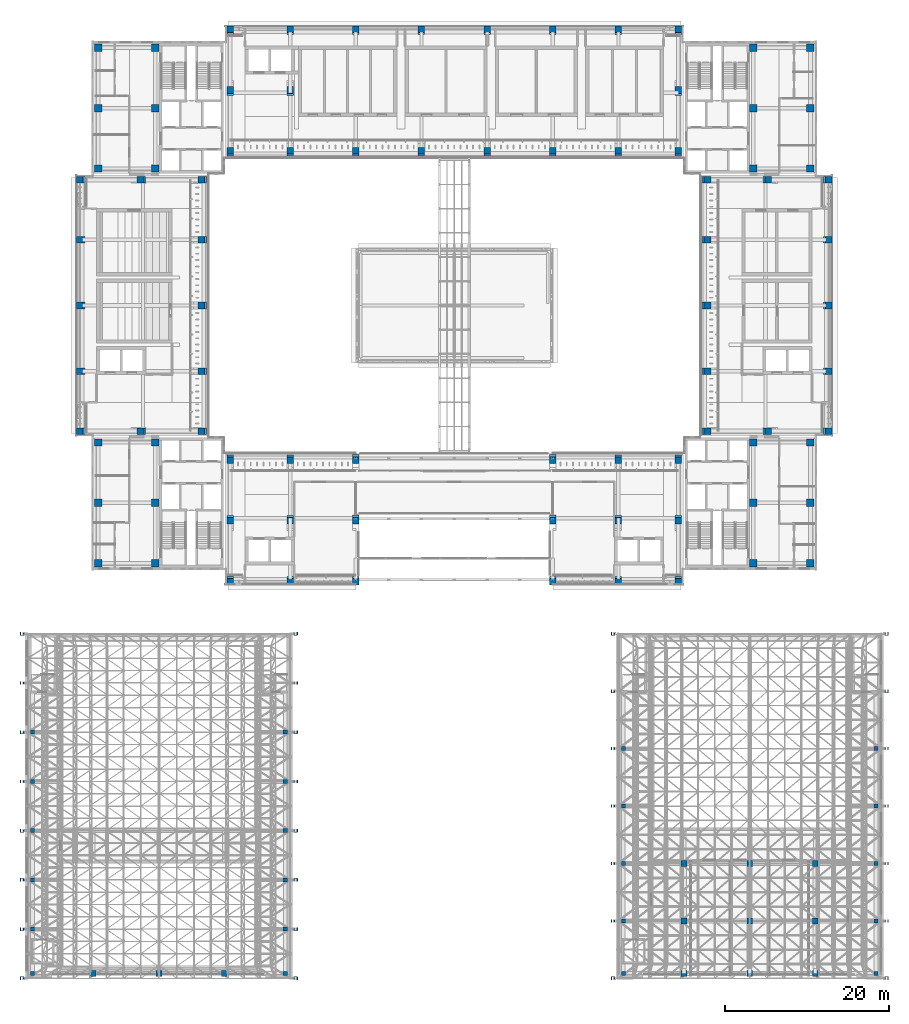
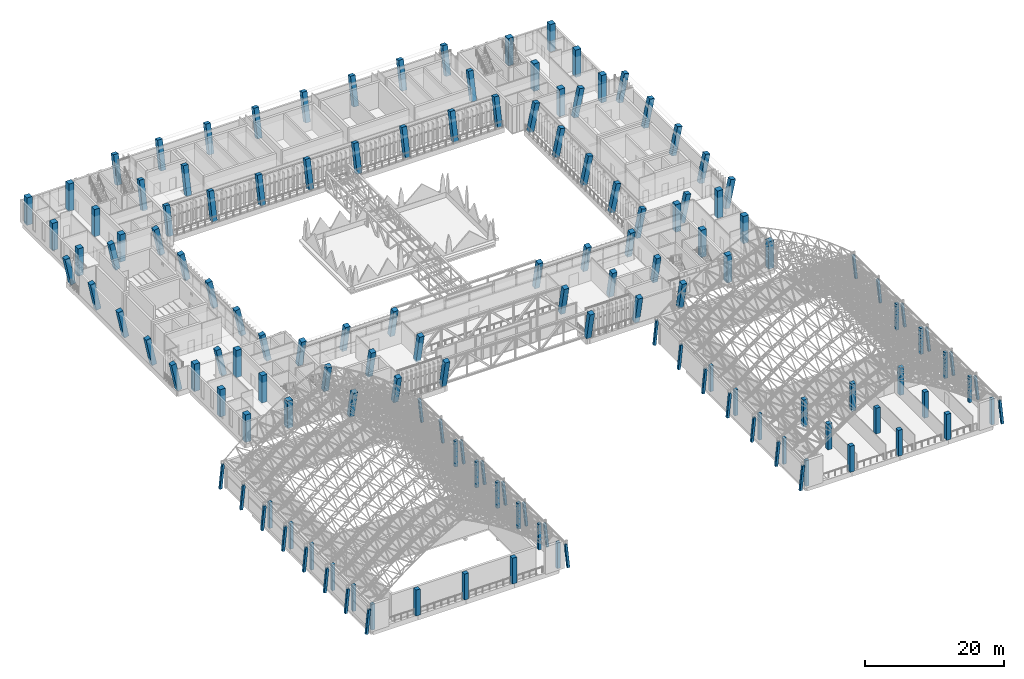
# One storey, part 1 of 141: 149 columns.
"""IFC4 building model written with IfcOpenShell, lengths in metres."""

from ifc_helpers import new_model, si_unit, direction, frame, origin, origin_2d, place, context, subcontext, project, spatial, rectangle, hollow_rectangle, extrude, material, material_profile, profile_set, type_object, element, save


model = new_model("IFC4")

# Units and contexts
model_context = context("Model", 3, precision=1e-05, world=origin(), true_north=direction((0.0, 1.0)))
body_context = subcontext(model_context, "Body", "Model", "MODEL_VIEW")
ifc_project = project(units=[si_unit("LENGTHUNIT", "METRE"), si_unit("AREAUNIT", "SQUARE_METRE"), si_unit("VOLUMEUNIT", "CUBIC_METRE"), si_unit("PLANEANGLEUNIT", "RADIAN"), si_unit("MASSUNIT", "GRAM", prefix="KILO")], contexts=[model_context])

# Site, building, storey
site_placement = place(None, origin())
site = spatial("IfcSite", under=ifc_project, at=site_placement, CompositionType="ELEMENT")
building_placement = place(site_placement, origin())
building = spatial("IfcBuilding", under=site, at=building_placement, Name="Lantern Court Media Centre", CompositionType="ELEMENT")
storey_placement = place(building_placement, frame((0.0, 0.0, 9.60009765625)))
storey = spatial("IfcBuildingStorey", under=building, at=storey_placement, Name="L02", CompositionType="ELEMENT", Elevation=9.60009765625)

# Columns
ifc_material_1 = material(Name="Steel S355J2 (EN 10025-2)", Category="steel")
ifc_material_profile_1 = material_profile(ifc_material_1, hollow_rectangle(XDim=0.39990234375, YDim=0.39990234375, WallThickness=0.012451171875, InnerFilletRadius=0.012451171875, OuterFilletRadius=0.018798828125, at=origin_2d()), Name="Cinema Hall buttress column SHS 400x12.5")
ifc_profile_set_1 = profile_set([ifc_material_profile_1], Name="Steel S355J2 (EN 10025-2)")
column_type_1 = type_object("IfcColumnType", Name="Cinema Hall buttress column SHS 400x12.5", PredefinedType="COLUMN", material=ifc_profile_set_1)
for number, where, z_axis, x_axis, name in (
    (1, (-0.72607421875, 4.0, 0.0), (0.100917941267, 0.0, 0.994894752791), (0.0, 1.0, 0.0), "Cinema Hall buttress west 2"),
    (2, (-0.72607421875, 10.0, 0.0), (0.100917941267, 0.0, 0.994894752791), (0.0, 1.0, 0.0), "Cinema Hall buttress west 3"),
    (3, (-0.72607421875, 16.0, 0.0), (0.100917941267, 0.0, 0.994894752791), (0.0, 1.0, 0.0), "Cinema Hall buttress west 4"),
    (4, (-0.72607421875, 22.0, 0.0), (0.100917941267, 0.0, 0.994894752791), (0.0, 1.0, 0.0), "Cinema Hall buttress west 5"),
    (5, (-0.72607421875, 28.0, 0.0), (0.100917941267, 0.0, 0.994894752791), (0.0, 1.0, 0.0), "Cinema Hall buttress west 6"),
    (6, (-0.72607421875, 34.0, 0.0), (0.100917941267, 0.0, 0.994894752791), (0.0, 1.0, 0.0), "Cinema Hall buttress west 7"),
    (7, (32.72607421875, 4.0, 0.0), (-0.100917941267, 0.0, 0.994894752791), (0.0, -1.0, 0.0), "Cinema Hall buttress east 2"),
    (8, (32.72607421875, 10.0, 0.0), (-0.100917941267, 0.0, 0.994894752791), (0.0, -1.0, 0.0), "Cinema Hall buttress east 3"),
    (9, (32.72607421875, 16.0, 0.0), (-0.100917941267, 0.0, 0.994894752791), (0.0, -1.0, 0.0), "Cinema Hall buttress east 4"),
    (10, (32.72607421875, 22.0, 0.0), (-0.100917941267, 0.0, 0.994894752791), (0.0, -1.0, 0.0), "Cinema Hall buttress east 5"),
    (11, (32.72607421875, 28.0, 0.0), (-0.100917941267, 0.0, 0.994894752791), (0.0, -1.0, 0.0), "Cinema Hall buttress east 6"),
    (12, (32.72607421875, 34.0, 0.0), (-0.100917941267, 0.0, 0.994894752791), (0.0, -1.0, 0.0), "Cinema Hall buttress east 7"),
):
    element("IfcColumn", number, at=place(storey_placement, frame(where, z_axis=z_axis, x_axis=x_axis)), inside=storey, type_object=column_type_1, Name=name, PredefinedType="COLUMN", context=body_context, shape_type="SweptSolid", body=[
        extrude(hollow_rectangle(XDim=0.39990234375, YDim=0.39990234375, WallThickness=0.012451171875, InnerFilletRadius=0.012451171875, OuterFilletRadius=0.018798828125, at=origin_2d()), origin(), (0.0, 0.0, 1.0), 4.221435546875),
    ])
ifc_material_profile_2 = material_profile(ifc_material_1, hollow_rectangle(XDim=0.39990234375, YDim=0.39990234375, WallThickness=0.01611328125, InnerFilletRadius=0.01611328125, OuterFilletRadius=0.02392578125, at=origin_2d()), Name="Cinema Hall gable buttress column SHS 400x16")
ifc_profile_set_2 = profile_set([ifc_material_profile_2], Name="Steel S355J2 (EN 10025-2)")
column_type_2 = type_object("IfcColumnType", Name="Cinema Hall gable buttress column SHS 400x16", PredefinedType="COLUMN", material=ifc_profile_set_2)
for number, where, z_axis, x_axis, name in (
    (13, (-0.72607421875, -2.0, 0.0), (0.100917941267, 0.0, 0.994894752791), (0.0, 1.0, 0.0), "Cinema Hall buttress west 1"),
    (14, (-0.72607421875, 40.0, 0.0), (0.100917941267, 0.0, 0.994894752791), (0.0, 1.0, 0.0), "Cinema Hall buttress west 8"),
    (15, (32.72607421875, -2.0, 0.0), (-0.100917941267, 0.0, 0.994894752791), (0.0, -1.0, 0.0), "Cinema Hall buttress east 1"),
    (16, (32.72607421875, 40.0, 0.0), (-0.100917941267, 0.0, 0.994894752791), (0.0, -1.0, 0.0), "Cinema Hall buttress east 8"),
):
    element("IfcColumn", number, at=place(storey_placement, frame(where, z_axis=z_axis, x_axis=x_axis)), inside=storey, type_object=column_type_2, Name=name, PredefinedType="COLUMN", context=body_context, shape_type="SweptSolid", body=[
        extrude(hollow_rectangle(XDim=0.39990234375, YDim=0.39990234375, WallThickness=0.01611328125, InnerFilletRadius=0.01611328125, OuterFilletRadius=0.02392578125, at=origin_2d()), origin(), (0.0, 0.0, 1.0), 4.221435546875),
    ])
ifc_material_2 = material(Name="Concrete C35", Category="concrete")
ifc_material_profile_3 = material_profile(ifc_material_2, rectangle(XDim=0.5, YDim=0.5, at=origin_2d()), Name="RC 500x500")
ifc_profile_set_3 = profile_set([ifc_material_profile_3], Name="Concrete C35")
column_type_3 = type_object("IfcColumnType", Name="RC COLUMN 500x500", PredefinedType="COLUMN", material=ifc_profile_set_3)
for number, where, z_axis, x_axis, name in (
    (17, (0.60009765625, -1.39990234375, 0.0), (0.0, 0.0, 1.0), (1.0, 0.0, 0.0), "C-V1-0-0-L02"),
    (18, (0.60009765625, 4.0, 0.0), (0.0, 0.0, 1.0), (1.0, 0.0, 0.0), "C-V1-0-1-L02"),
    (19, (0.60009765625, 10.0, 0.0), (0.0, 0.0, 1.0), (1.0, 0.0, 0.0), "C-V1-0-2-L02"),
    (20, (0.60009765625, 16.0, 0.0), (0.0, 0.0, 1.0), (1.0, 0.0, 0.0), "C-V1-0-3-L02"),
    (21, (0.60009765625, 22.0, 0.0), (0.0, 0.0, 1.0), (1.0, 0.0, 0.0), "C-V1-0-4-L02"),
    (22, (0.60009765625, 28.0, 0.0), (0.0, 0.0, 1.0), (1.0, 0.0, 0.0), "C-V1-0-5-L02"),
    (23, (31.39990234375, -1.39990234375, 0.0), (0.0, 0.0, 1.0), (1.0, 0.0, 0.0), "C-V1-4-0-L02"),
    (24, (31.39990234375, 4.0, 0.0), (0.0, 0.0, 1.0), (1.0, 0.0, 0.0), "C-V1-4-1-L02"),
    (25, (31.39990234375, 10.0, 0.0), (0.0, 0.0, 1.0), (1.0, 0.0, 0.0), "C-V1-4-2-L02"),
    (26, (31.39990234375, 16.0, 0.0), (0.0, 0.0, 1.0), (1.0, 0.0, 0.0), "C-V1-4-3-L02"),
    (27, (31.39990234375, 22.0, 0.0), (0.0, 0.0, 1.0), (1.0, 0.0, 0.0), "C-V1-4-4-L02"),
    (28, (31.39990234375, 28.0, 0.0), (0.0, 0.0, 1.0), (1.0, 0.0, 0.0), "C-V1-4-5-L02"),
    (29, (72.60009765625, -1.39990234375, 0.0), (0.0, 0.0, 1.0), (1.0, 0.0, 0.0), "C-V2-0-0-L02"),
    (30, (72.60009765625, 5.0, 0.0), (0.0, 0.0, 1.0), (1.0, 0.0, 0.0), "C-V2-0-1-L02"),
    (31, (72.60009765625, 12.0, 0.0), (0.0, 0.0, 1.0), (1.0, 0.0, 0.0), "C-V2-0-2-L02"),
    (32, (72.60009765625, 19.0, 0.0), (0.0, 0.0, 1.0), (1.0, 0.0, 0.0), "C-V2-0-3-L02"),
    (33, (72.60009765625, 26.0, 0.0), (0.0, 0.0, 1.0), (1.0, 0.0, 0.0), "C-V2-0-4-L02"),
    (34, (103.39990234375, -1.39990234375, 0.0), (0.0, 0.0, 1.0), (1.0, 0.0, 0.0), "C-V2-4-0-L02"),
    (35, (103.39990234375, 5.0, 0.0), (0.0, 0.0, 1.0), (1.0, 0.0, 0.0), "C-V2-4-1-L02"),
    (36, (103.39990234375, 12.0, 0.0), (0.0, 0.0, 1.0), (1.0, 0.0, 0.0), "C-V2-4-2-L02"),
    (37, (103.39990234375, 19.0, 0.0), (0.0, 0.0, 1.0), (1.0, 0.0, 0.0), "C-V2-4-3-L02"),
    (38, (103.39990234375, 26.0, 0.0), (0.0, 0.0, 1.0), (1.0, 0.0, 0.0), "C-V2-4-4-L02"),
):
    element("IfcColumn", number, at=place(storey_placement, frame(where, z_axis=z_axis, x_axis=x_axis)), inside=storey, type_object=column_type_3, Name=name, PredefinedType="COLUMN", context=body_context, shape_type="SweptSolid", body=[
        extrude(rectangle(XDim=0.5, YDim=0.5, at=origin_2d()), origin(), (0.0, 0.0, 1.0), 4.5498046875),
    ])
ifc_material_profile_4 = material_profile(ifc_material_2, rectangle(XDim=0.699951171875, YDim=0.699951171875, at=origin_2d()), Name="RC 700x700")
ifc_profile_set_4 = profile_set([ifc_material_profile_4], Name="Concrete C35")
column_type_4 = type_object("IfcColumnType", Name="RC COLUMN 700x700", PredefinedType="COLUMN", material=ifc_profile_set_4)
for number, where, z_axis, x_axis, name in (
    (39, (8.0, -1.39990234375, 0.0), (0.0, 0.0, 1.0), (1.0, 0.0, 0.0), "C-V1-1-0-L02"),
    (40, (16.0, -1.39990234375, 0.0), (0.0, 0.0, 1.0), (1.0, 0.0, 0.0), "C-V1-2-0-L02"),
    (41, (24.0, -1.39990234375, 0.0), (0.0, 0.0, 1.0), (1.0, 0.0, 0.0), "C-V1-3-0-L02"),
    (42, (80.0, -1.39990234375, 0.0), (0.0, 0.0, 1.0), (1.0, 0.0, 0.0), "C-V2-1-0-L02"),
    (43, (80.0, 5.0, 0.0), (0.0, 0.0, 1.0), (1.0, 0.0, 0.0), "C-V2-1-1-L02"),
):
    element("IfcColumn", number, at=place(storey_placement, frame(where, z_axis=z_axis, x_axis=x_axis)), inside=storey, type_object=column_type_4, Name=name, PredefinedType="COLUMN", context=body_context, shape_type="SweptSolid", body=[
        extrude(rectangle(XDim=0.699951171875, YDim=0.699951171875, at=origin_2d()), origin(), (0.0, 0.0, 1.0), 4.5498046875),
    ])
column_1_placement = place(storey_placement, frame((80.0, 12.0, -0.25), z_axis=(0.0, 0.0, 1.0), x_axis=(1.0, 0.0, 0.0)))
element("IfcColumn", 44, at=column_1_placement, inside=storey, type_object=column_type_4, Name="C-V2-1-2-L02", PredefinedType="COLUMN", context=body_context, shape_type="SweptSolid", body=[
    extrude(rectangle(XDim=0.699951171875, YDim=0.699951171875, at=origin_2d()), origin(), (0.0, 0.0, 1.0), 4.7998046875),
])
for number, where, z_axis, x_axis, name in (
    (45, (88.0, -1.39990234375, 0.0), (0.0, 0.0, 1.0), (1.0, 0.0, 0.0), "C-V2-2-0-L02"),
    (46, (88.0, 5.0, 0.0), (0.0, 0.0, 1.0), (1.0, 0.0, 0.0), "C-V2-2-1-L02"),
):
    element("IfcColumn", number, at=place(storey_placement, frame(where, z_axis=z_axis, x_axis=x_axis)), inside=storey, type_object=column_type_4, Name=name, PredefinedType="COLUMN", context=body_context, shape_type="SweptSolid", body=[
        extrude(rectangle(XDim=0.699951171875, YDim=0.699951171875, at=origin_2d()), origin(), (0.0, 0.0, 1.0), 4.5498046875),
    ])
column_2_placement = place(storey_placement, frame((88.0, 12.0, -0.25), z_axis=(0.0, 0.0, 1.0), x_axis=(1.0, 0.0, 0.0)))
element("IfcColumn", 47, at=column_2_placement, inside=storey, type_object=column_type_4, Name="C-V2-2-2-L02", PredefinedType="COLUMN", context=body_context, shape_type="SweptSolid", body=[
    extrude(rectangle(XDim=0.699951171875, YDim=0.699951171875, at=origin_2d()), origin(), (0.0, 0.0, 1.0), 4.7998046875),
])
for number, where, z_axis, x_axis, name in (
    (48, (96.0, -1.39990234375, 0.0), (0.0, 0.0, 1.0), (1.0, 0.0, 0.0), "C-V2-3-0-L02"),
    (49, (96.0, 5.0, 0.0), (0.0, 0.0, 1.0), (1.0, 0.0, 0.0), "C-V2-3-1-L02"),
):
    element("IfcColumn", number, at=place(storey_placement, frame(where, z_axis=z_axis, x_axis=x_axis)), inside=storey, type_object=column_type_4, Name=name, PredefinedType="COLUMN", context=body_context, shape_type="SweptSolid", body=[
        extrude(rectangle(XDim=0.699951171875, YDim=0.699951171875, at=origin_2d()), origin(), (0.0, 0.0, 1.0), 4.5498046875),
    ])
column_3_placement = place(storey_placement, frame((96.0, 12.0, -0.25), z_axis=(0.0, 0.0, 1.0), x_axis=(1.0, 0.0, 0.0)))
element("IfcColumn", 50, at=column_3_placement, inside=storey, type_object=column_type_4, Name="C-V2-3-2-L02", PredefinedType="COLUMN", context=body_context, shape_type="SweptSolid", body=[
    extrude(rectangle(XDim=0.699951171875, YDim=0.699951171875, at=origin_2d()), origin(), (0.0, 0.0, 1.0), 4.7998046875),
])
ifc_material_profile_5 = material_profile(ifc_material_2, rectangle(XDim=0.800048828125, YDim=0.800048828125, at=origin_2d()), Name="RC 800x800")
ifc_profile_set_5 = profile_set([ifc_material_profile_5], Name="Concrete C35")
column_type_5 = type_object("IfcColumnType", Name="RC COLUMN 800x800", PredefinedType="COLUMN", material=ifc_profile_set_5)
for number, where, z_axis, x_axis, name in (
    (51, (24.699951171875, 46.60009765625, 0.0), (0.0, -0.203962208122, 0.978978762618), (1.0, 0.0, 0.0), "C-S-0-0-L02"),
    (52, (32.0, 46.60009765625, 0.0), (0.0, -0.203962208122, 0.978978762618), (1.0, 0.0, 0.0), "C-S-0-1-L02"),
    (53, (40.0, 46.60009765625, 0.0), (0.0, -0.203962208122, 0.978978762618), (1.0, 0.0, 0.0), "C-S-0-2-L02"),
    (54, (64.0, 46.60009765625, 0.0), (0.0, -0.203962208122, 0.978978762618), (1.0, 0.0, 0.0), "C-S-0-5-L02"),
    (55, (72.0, 46.60009765625, 0.0), (0.0, -0.203962208122, 0.978978762618), (1.0, 0.0, 0.0), "C-S-0-6-L02"),
    (56, (79.300048828125, 46.60009765625, 0.0), (0.0, -0.203962208122, 0.978978762618), (1.0, 0.0, 0.0), "C-S-0-7-L02"),
    (57, (24.699951171875, 54.0, 0.0), (0.0, -0.203962208122, 0.978978762618), (1.0, 0.0, 0.0), "C-S-1-0-L02"),
    (58, (32.0, 54.0, 0.0), (0.0, -0.203962208122, 0.978978762618), (1.0, 0.0, 0.0), "C-S-1-1-L02"),
):
    element("IfcColumn", number, at=place(storey_placement, frame(where, z_axis=z_axis, x_axis=x_axis)), inside=storey, type_object=column_type_5, Name=name, PredefinedType="COLUMN", context=body_context, shape_type="SweptSolid", body=[
        extrude(rectangle(XDim=0.800048828125, YDim=0.800048828125, at=origin_2d()), origin(), (0.0, 0.0, 1.0), 4.90283203125),
    ])
for number, where, z_axis, x_axis, name in (
    (59, (40.0, 54.0458984375, -0.22021484375), (0.0, -0.203965661733, 0.978978043081), (1.0, 0.0, 0.0), "C-S-1-2-L02"),
    (60, (64.0, 54.0458984375, -0.22021484375), (0.0, -0.203965661733, 0.978978043081), (1.0, 0.0, 0.0), "C-S-1-5-L02"),
):
    element("IfcColumn", number, at=place(storey_placement, frame(where, z_axis=z_axis, x_axis=x_axis)), inside=storey, type_object=column_type_5, Name=name, PredefinedType="COLUMN", context=body_context, shape_type="SweptSolid", body=[
        extrude(rectangle(XDim=0.800048828125, YDim=0.800048828125, at=origin_2d()), origin(), (0.0, 0.0, 1.0), 5.1279296875),
    ])
for number, where, z_axis, x_axis, name in (
    (61, (72.0, 54.0, 0.0), (0.0, -0.203962208122, 0.978978762618), (1.0, 0.0, 0.0), "C-S-1-6-L02"),
    (62, (79.300048828125, 54.0, 0.0), (0.0, -0.203962208122, 0.978978762618), (1.0, 0.0, 0.0), "C-S-1-7-L02"),
    (63, (24.699951171875, 61.39990234375, 0.0), (0.0, -0.203962208122, 0.978978762618), (1.0, 0.0, 0.0), "C-S-2-0-L02"),
    (64, (32.0, 61.39990234375, 0.0), (0.0, -0.203962208122, 0.978978762618), (1.0, 0.0, 0.0), "C-S-2-1-L02"),
):
    element("IfcColumn", number, at=place(storey_placement, frame(where, z_axis=z_axis, x_axis=x_axis)), inside=storey, type_object=column_type_5, Name=name, PredefinedType="COLUMN", context=body_context, shape_type="SweptSolid", body=[
        extrude(rectangle(XDim=0.800048828125, YDim=0.800048828125, at=origin_2d()), origin(), (0.0, 0.0, 1.0), 4.90283203125),
    ])
for number, where, z_axis, x_axis, name in (
    (65, (40.0, 61.44580078125, -0.22021484375), (0.0, -0.203965661733, 0.978978043081), (1.0, 0.0, 0.0), "C-S-2-2-L02"),
    (66, (64.0, 61.44580078125, -0.22021484375), (0.0, -0.203965661733, 0.978978043081), (1.0, 0.0, 0.0), "C-S-2-5-L02"),
):
    element("IfcColumn", number, at=place(storey_placement, frame(where, z_axis=z_axis, x_axis=x_axis)), inside=storey, type_object=column_type_5, Name=name, PredefinedType="COLUMN", context=body_context, shape_type="SweptSolid", body=[
        extrude(rectangle(XDim=0.800048828125, YDim=0.800048828125, at=origin_2d()), origin(), (0.0, 0.0, 1.0), 5.1279296875),
    ])
for number, where, z_axis, x_axis, name in (
    (67, (72.0, 61.39990234375, 0.0), (0.0, -0.203962208122, 0.978978762618), (1.0, 0.0, 0.0), "C-S-2-6-L02"),
    (68, (79.300048828125, 61.39990234375, 0.0), (0.0, -0.203962208122, 0.978978762618), (1.0, 0.0, 0.0), "C-S-2-7-L02"),
    (69, (24.699951171875, 98.60009765625, 0.0), (0.0, 0.203962208122, 0.978978762618), (-1.0, 0.0, 0.0), "C-N-0-0-L02"),
    (70, (32.0, 98.60009765625, 0.0), (0.0, 0.203962208122, 0.978978762618), (-1.0, 0.0, 0.0), "C-N-0-1-L02"),
    (71, (40.0, 98.60009765625, 0.0), (0.0, 0.203962208122, 0.978978762618), (-1.0, 0.0, 0.0), "C-N-0-2-L02"),
    (72, (48.0, 98.60009765625, 0.0), (0.0, 0.203962208122, 0.978978762618), (-1.0, 0.0, 0.0), "C-N-0-3-L02"),
    (73, (56.0, 98.60009765625, 0.0), (0.0, 0.203962208122, 0.978978762618), (-1.0, 0.0, 0.0), "C-N-0-4-L02"),
    (74, (64.0, 98.60009765625, 0.0), (0.0, 0.203962208122, 0.978978762618), (-1.0, 0.0, 0.0), "C-N-0-5-L02"),
    (75, (72.0, 98.60009765625, 0.0), (0.0, 0.203962208122, 0.978978762618), (-1.0, 0.0, 0.0), "C-N-0-6-L02"),
    (76, (79.300048828125, 98.60009765625, 0.0), (0.0, 0.203962208122, 0.978978762618), (-1.0, 0.0, 0.0), "C-N-0-7-L02"),
    (77, (24.699951171875, 106.0, 0.0), (0.0, 0.203962208122, 0.978978762618), (-1.0, 0.0, 0.0), "C-N-1-0-L02"),
    (78, (32.0, 106.0, 0.0), (0.0, 0.203962208122, 0.978978762618), (-1.0, 0.0, 0.0), "C-N-1-1-L02"),
    (79, (79.300048828125, 106.0, 0.0), (0.0, 0.203962208122, 0.978978762618), (-1.0, 0.0, 0.0), "C-N-1-7-L02"),
    (80, (24.699951171875, 113.39990234375, 0.0), (0.0, 0.203962208122, 0.978978762618), (-1.0, 0.0, 0.0), "C-N-2-0-L02"),
    (81, (32.0, 113.39990234375, 0.0), (0.0, 0.203962208122, 0.978978762618), (-1.0, 0.0, 0.0), "C-N-2-1-L02"),
    (82, (40.0, 113.39990234375, 0.0), (0.0, 0.203962208122, 0.978978762618), (-1.0, 0.0, 0.0), "C-N-2-2-L02"),
    (83, (48.0, 113.39990234375, 0.0), (0.0, 0.203962208122, 0.978978762618), (-1.0, 0.0, 0.0), "C-N-2-3-L02"),
    (84, (56.0, 113.39990234375, 0.0), (0.0, 0.203962208122, 0.978978762618), (-1.0, 0.0, 0.0), "C-N-2-4-L02"),
    (85, (64.0, 113.39990234375, 0.0), (0.0, 0.203962208122, 0.978978762618), (-1.0, 0.0, 0.0), "C-N-2-5-L02"),
    (86, (72.0, 113.39990234375, 0.0), (0.0, 0.203962208122, 0.978978762618), (-1.0, 0.0, 0.0), "C-N-2-6-L02"),
    (87, (79.300048828125, 113.39990234375, 0.0), (0.0, 0.203962208122, 0.978978762618), (-1.0, 0.0, 0.0), "C-N-2-7-L02"),
    (88, (6.60009765625, 64.699951171875, 0.0), (-0.203962208122, 0.0, 0.978978762618), (0.0, -1.0, 0.0), "C-W-0-0-L02"),
    (89, (6.60009765625, 72.0, 0.0), (-0.203962208122, 0.0, 0.978978762618), (0.0, -1.0, 0.0), "C-W-0-1-L02"),
    (90, (6.60009765625, 80.0, 0.0), (-0.203962208122, 0.0, 0.978978762618), (0.0, -1.0, 0.0), "C-W-0-2-L02"),
    (91, (6.60009765625, 88.0, 0.0), (-0.203962208122, 0.0, 0.978978762618), (0.0, -1.0, 0.0), "C-W-0-3-L02"),
    (92, (6.60009765625, 95.300048828125, 0.0), (-0.203962208122, 0.0, 0.978978762618), (0.0, -1.0, 0.0), "C-W-0-4-L02"),
    (93, (14.0, 64.699951171875, 0.0), (-0.203962208122, 0.0, 0.978978762618), (0.0, -1.0, 0.0), "C-W-1-0-L02"),
    (94, (14.0, 95.300048828125, 0.0), (-0.203962208122, 0.0, 0.978978762618), (0.0, -1.0, 0.0), "C-W-1-4-L02"),
    (95, (21.39990234375, 64.699951171875, 0.0), (-0.203962208122, 0.0, 0.978978762618), (0.0, -1.0, 0.0), "C-W-2-0-L02"),
    (96, (21.39990234375, 72.0, 0.0), (-0.203962208122, 0.0, 0.978978762618), (0.0, -1.0, 0.0), "C-W-2-1-L02"),
    (97, (21.39990234375, 80.0, 0.0), (-0.203962208122, 0.0, 0.978978762618), (0.0, -1.0, 0.0), "C-W-2-2-L02"),
    (98, (21.39990234375, 88.0, 0.0), (-0.203962208122, 0.0, 0.978978762618), (0.0, -1.0, 0.0), "C-W-2-3-L02"),
    (99, (21.39990234375, 95.300048828125, 0.0), (-0.203962208122, 0.0, 0.978978762618), (0.0, -1.0, 0.0), "C-W-2-4-L02"),
    (100, (82.60009765625, 64.699951171875, 0.0), (0.203962208122, 0.0, 0.978978762618), (0.0, 1.0, 0.0), "C-E-0-0-L02"),
    (101, (82.60009765625, 72.0, 0.0), (0.203962208122, 0.0, 0.978978762618), (0.0, 1.0, 0.0), "C-E-0-1-L02"),
    (102, (82.60009765625, 80.0, 0.0), (0.203962208122, 0.0, 0.978978762618), (0.0, 1.0, 0.0), "C-E-0-2-L02"),
    (103, (82.60009765625, 88.0, 0.0), (0.203962208122, 0.0, 0.978978762618), (0.0, 1.0, 0.0), "C-E-0-3-L02"),
    (104, (82.60009765625, 95.300048828125, 0.0), (0.203962208122, 0.0, 0.978978762618), (0.0, 1.0, 0.0), "C-E-0-4-L02"),
    (105, (90.0, 64.699951171875, 0.0), (0.203962208122, 0.0, 0.978978762618), (0.0, 1.0, 0.0), "C-E-1-0-L02"),
    (106, (90.0, 95.300048828125, 0.0), (0.203962208122, 0.0, 0.978978762618), (0.0, 1.0, 0.0), "C-E-1-4-L02"),
    (107, (97.39990234375, 64.699951171875, 0.0), (0.203962208122, 0.0, 0.978978762618), (0.0, 1.0, 0.0), "C-E-2-0-L02"),
    (108, (97.39990234375, 72.0, 0.0), (0.203962208122, 0.0, 0.978978762618), (0.0, 1.0, 0.0), "C-E-2-1-L02"),
    (109, (97.39990234375, 80.0, 0.0), (0.203962208122, 0.0, 0.978978762618), (0.0, 1.0, 0.0), "C-E-2-2-L02"),
    (110, (97.39990234375, 88.0, 0.0), (0.203962208122, 0.0, 0.978978762618), (0.0, 1.0, 0.0), "C-E-2-3-L02"),
    (111, (97.39990234375, 95.300048828125, 0.0), (0.203962208122, 0.0, 0.978978762618), (0.0, 1.0, 0.0), "C-E-2-4-L02"),
):
    element("IfcColumn", number, at=place(storey_placement, frame(where, z_axis=z_axis, x_axis=x_axis)), inside=storey, type_object=column_type_5, Name=name, PredefinedType="COLUMN", context=body_context, shape_type="SweptSolid", body=[
        extrude(rectangle(XDim=0.800048828125, YDim=0.800048828125, at=origin_2d()), origin(), (0.0, 0.0, 1.0), 4.90283203125),
    ])
ifc_material_profile_6 = material_profile(ifc_material_2, rectangle(XDim=0.89990234375, YDim=0.89990234375, at=origin_2d()), Name="RC 900x900")
ifc_profile_set_6 = profile_set([ifc_material_profile_6], Name="Concrete C35")
column_type_6 = type_object("IfcColumnType", Name="RC COLUMN 900x900", PredefinedType="COLUMN", material=ifc_profile_set_6)
for number, where, z_axis, x_axis, name in (
    (112, (8.60009765625, 48.60009765625, 0.0), (0.0, 0.0, 1.0), (1.0, 0.0, 0.0), "C-SW-0-L02"),
    (113, (8.60009765625, 55.949951171875, 0.0), (0.0, 0.0, 1.0), (1.0, 0.0, 0.0), "C-SW-1-L02"),
    (114, (8.60009765625, 63.300048828125, 0.0), (0.0, 0.0, 1.0), (1.0, 0.0, 0.0), "C-SW-2-L02"),
    (115, (15.550048828125, 48.60009765625, 0.0), (0.0, 0.0, 1.0), (1.0, 0.0, 0.0), "C-SW-3-L02"),
    (116, (15.550048828125, 55.949951171875, 0.0), (0.0, 0.0, 1.0), (1.0, 0.0, 0.0), "C-SW-4-L02"),
    (117, (15.550048828125, 63.300048828125, 0.0), (0.0, 0.0, 1.0), (1.0, 0.0, 0.0), "C-SW-5-L02"),
    (118, (88.449951171875, 48.60009765625, 0.0), (0.0, 0.0, 1.0), (1.0, 0.0, 0.0), "C-SE-0-L02"),
    (119, (88.449951171875, 55.949951171875, 0.0), (0.0, 0.0, 1.0), (1.0, 0.0, 0.0), "C-SE-1-L02"),
    (120, (88.449951171875, 63.300048828125, 0.0), (0.0, 0.0, 1.0), (1.0, 0.0, 0.0), "C-SE-2-L02"),
    (121, (95.39990234375, 48.60009765625, 0.0), (0.0, 0.0, 1.0), (1.0, 0.0, 0.0), "C-SE-3-L02"),
    (122, (95.39990234375, 55.949951171875, 0.0), (0.0, 0.0, 1.0), (1.0, 0.0, 0.0), "C-SE-4-L02"),
    (123, (95.39990234375, 63.300048828125, 0.0), (0.0, 0.0, 1.0), (1.0, 0.0, 0.0), "C-SE-5-L02"),
    (124, (8.60009765625, 96.699951171875, 0.0), (0.0, 0.0, 1.0), (1.0, 0.0, 0.0), "C-NW-0-L02"),
    (125, (8.60009765625, 104.050048828125, 0.0), (0.0, 0.0, 1.0), (1.0, 0.0, 0.0), "C-NW-1-L02"),
    (126, (8.60009765625, 111.39990234375, 0.0), (0.0, 0.0, 1.0), (1.0, 0.0, 0.0), "C-NW-2-L02"),
    (127, (15.550048828125, 96.699951171875, 0.0), (0.0, 0.0, 1.0), (1.0, 0.0, 0.0), "C-NW-3-L02"),
    (128, (15.550048828125, 104.050048828125, 0.0), (0.0, 0.0, 1.0), (1.0, 0.0, 0.0), "C-NW-4-L02"),
    (129, (15.550048828125, 111.39990234375, 0.0), (0.0, 0.0, 1.0), (1.0, 0.0, 0.0), "C-NW-5-L02"),
    (130, (88.449951171875, 96.699951171875, 0.0), (0.0, 0.0, 1.0), (1.0, 0.0, 0.0), "C-NE-0-L02"),
    (131, (88.449951171875, 104.050048828125, 0.0), (0.0, 0.0, 1.0), (1.0, 0.0, 0.0), "C-NE-1-L02"),
    (132, (88.449951171875, 111.39990234375, 0.0), (0.0, 0.0, 1.0), (1.0, 0.0, 0.0), "C-NE-2-L02"),
    (133, (95.39990234375, 96.699951171875, 0.0), (0.0, 0.0, 1.0), (1.0, 0.0, 0.0), "C-NE-3-L02"),
    (134, (95.39990234375, 104.050048828125, 0.0), (0.0, 0.0, 1.0), (1.0, 0.0, 0.0), "C-NE-4-L02"),
    (135, (95.39990234375, 111.39990234375, 0.0), (0.0, 0.0, 1.0), (1.0, 0.0, 0.0), "C-NE-5-L02"),
):
    element("IfcColumn", number, at=place(storey_placement, frame(where, z_axis=z_axis, x_axis=x_axis)), inside=storey, type_object=column_type_6, Name=name, PredefinedType="COLUMN", context=body_context, shape_type="SweptSolid", body=[
        extrude(rectangle(XDim=0.89990234375, YDim=0.89990234375, at=origin_2d()), origin(), (0.0, 0.0, 1.0), 4.7998046875),
    ])
ifc_material_profile_7 = material_profile(ifc_material_1, hollow_rectangle(XDim=0.39990234375, YDim=0.39990234375, WallThickness=0.012451171875, InnerFilletRadius=0.012451171875, OuterFilletRadius=0.018798828125, at=origin_2d()), Name="Studio Hall buttress column SHS 400x12.5")
ifc_profile_set_7 = profile_set([ifc_material_profile_7], Name="Steel S355J2 (EN 10025-2)")
column_type_7 = type_object("IfcColumnType", Name="Studio Hall buttress column SHS 400x12.5", PredefinedType="COLUMN", material=ifc_profile_set_7)
for number, where, z_axis, x_axis, name in (
    (136, (71.27392578125, 5.0, 0.0), (0.100917941267, 0.0, 0.994894752791), (0.0, 1.0, 0.0), "Studio Hall buttress west 2"),
    (137, (71.27392578125, 12.0, 0.0), (0.100917941267, 0.0, 0.994894752791), (0.0, 1.0, 0.0), "Studio Hall buttress west 3"),
    (138, (71.27392578125, 19.0, 0.0), (0.100917941267, 0.0, 0.994894752791), (0.0, 1.0, 0.0), "Studio Hall buttress west 4"),
    (139, (71.27392578125, 26.0, 0.0), (0.100917941267, 0.0, 0.994894752791), (0.0, 1.0, 0.0), "Studio Hall buttress west 5"),
    (140, (71.27392578125, 33.0, 0.0), (0.100917941267, 0.0, 0.994894752791), (0.0, 1.0, 0.0), "Studio Hall buttress west 6"),
    (141, (104.72607421875, 5.0, 0.0), (-0.100917941267, 0.0, 0.994894752791), (0.0, -1.0, 0.0), "Studio Hall buttress east 2"),
    (142, (104.72607421875, 12.0, 0.0), (-0.100917941267, 0.0, 0.994894752791), (0.0, -1.0, 0.0), "Studio Hall buttress east 3"),
    (143, (104.72607421875, 19.0, 0.0), (-0.100917941267, 0.0, 0.994894752791), (0.0, -1.0, 0.0), "Studio Hall buttress east 4"),
    (144, (104.72607421875, 26.0, 0.0), (-0.100917941267, 0.0, 0.994894752791), (0.0, -1.0, 0.0), "Studio Hall buttress east 5"),
    (145, (104.72607421875, 33.0, 0.0), (-0.100917941267, 0.0, 0.994894752791), (0.0, -1.0, 0.0), "Studio Hall buttress east 6"),
):
    element("IfcColumn", number, at=place(storey_placement, frame(where, z_axis=z_axis, x_axis=x_axis)), inside=storey, type_object=column_type_7, Name=name, PredefinedType="COLUMN", context=body_context, shape_type="SweptSolid", body=[
        extrude(hollow_rectangle(XDim=0.39990234375, YDim=0.39990234375, WallThickness=0.012451171875, InnerFilletRadius=0.012451171875, OuterFilletRadius=0.018798828125, at=origin_2d()), origin(), (0.0, 0.0, 1.0), 4.221435546875),
    ])
ifc_material_profile_8 = material_profile(ifc_material_1, hollow_rectangle(XDim=0.39990234375, YDim=0.39990234375, WallThickness=0.01611328125, InnerFilletRadius=0.01611328125, OuterFilletRadius=0.02392578125, at=origin_2d()), Name="Studio Hall gable buttress column SHS 400x16")
ifc_profile_set_8 = profile_set([ifc_material_profile_8], Name="Steel S355J2 (EN 10025-2)")
column_type_8 = type_object("IfcColumnType", Name="Studio Hall gable buttress column SHS 400x16", PredefinedType="COLUMN", material=ifc_profile_set_8)
for number, where, z_axis, x_axis, name in (
    (146, (71.27392578125, -2.0, 0.0), (0.100917941267, 0.0, 0.994894752791), (0.0, 1.0, 0.0), "Studio Hall buttress west 1"),
    (147, (71.27392578125, 40.0, 0.0), (0.100917941267, 0.0, 0.994894752791), (0.0, 1.0, 0.0), "Studio Hall buttress west 7"),
    (148, (104.72607421875, -2.0, 0.0), (-0.100917941267, 0.0, 0.994894752791), (0.0, -1.0, 0.0), "Studio Hall buttress east 1"),
    (149, (104.72607421875, 40.0, 0.0), (-0.100917941267, 0.0, 0.994894752791), (0.0, -1.0, 0.0), "Studio Hall buttress east 7"),
):
    element("IfcColumn", number, at=place(storey_placement, frame(where, z_axis=z_axis, x_axis=x_axis)), inside=storey, type_object=column_type_8, Name=name, PredefinedType="COLUMN", context=body_context, shape_type="SweptSolid", body=[
        extrude(hollow_rectangle(XDim=0.39990234375, YDim=0.39990234375, WallThickness=0.01611328125, InnerFilletRadius=0.01611328125, OuterFilletRadius=0.02392578125, at=origin_2d()), origin(), (0.0, 0.0, 1.0), 4.221435546875),
    ])

save(model, "model.ifc")
